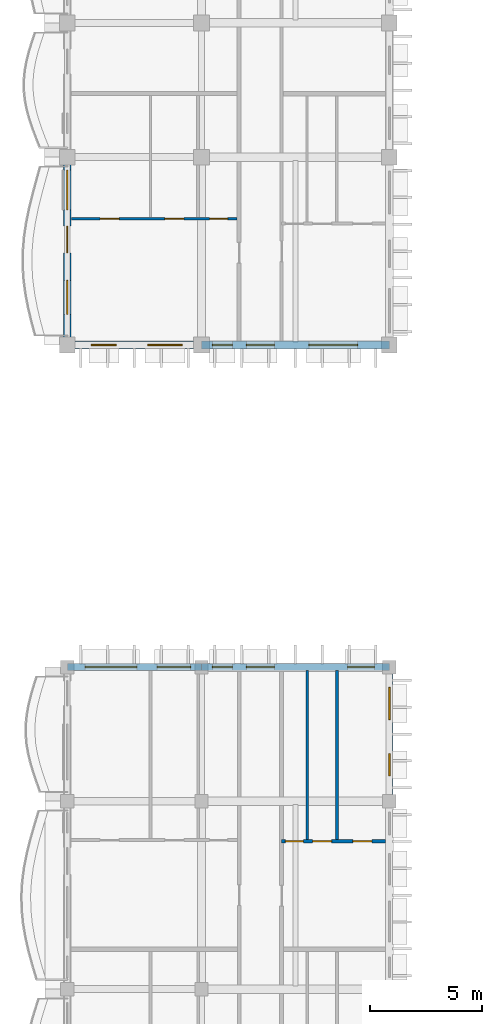
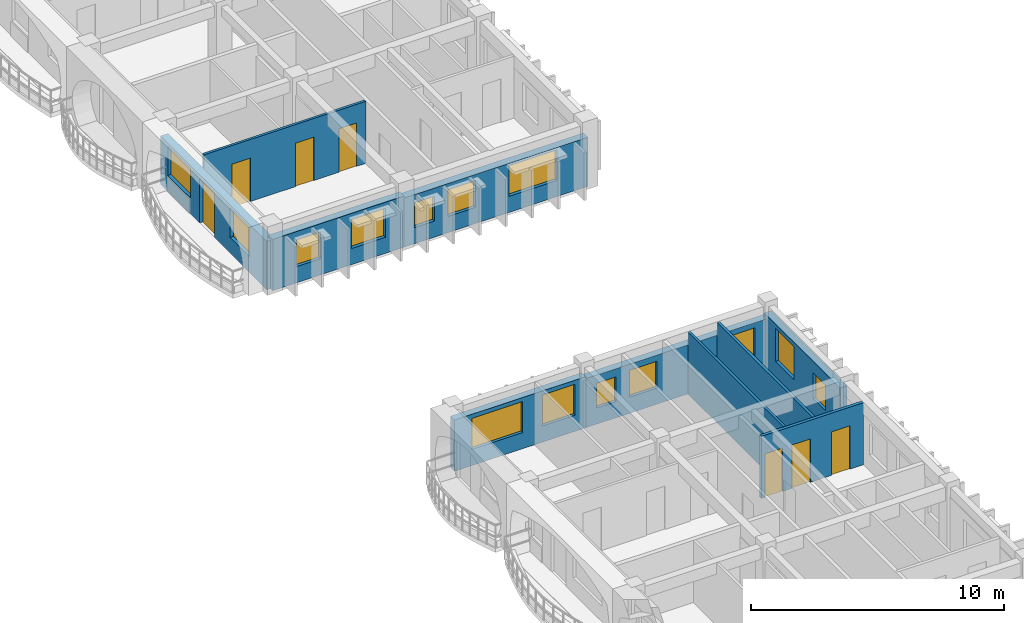
# One storey, part 20 of 70: 14 windows, 10 walls, 7 doors, 21 openings.
"""IFC4 building model written with IfcOpenShell, lengths in metres."""

from ifc_helpers import new_model, si_unit, direction, frame, frame_2d, origin, place, context, subcontext, project, spatial, rectangle, extrude, material, layer, layer_set, type_object, element, fill, save


model = new_model("IFC4")

# Units and contexts
model_context = context("Model", 3, precision=1e-05, world=origin(), true_north=direction((0.0, 1.0)))
body_context = subcontext(model_context, "Body", "Model", "MODEL_VIEW")
ifc_project = project(units=[si_unit("LENGTHUNIT", "METRE"), si_unit("AREAUNIT", "SQUARE_METRE"), si_unit("VOLUMEUNIT", "CUBIC_METRE"), si_unit("PLANEANGLEUNIT", "RADIAN"), si_unit("MASSUNIT", "GRAM", prefix="KILO"), si_unit("THERMODYNAMICTEMPERATUREUNIT", "KELVIN")], contexts=[model_context])

# Site, building, storey
site_placement = place(None, origin())
site = spatial("IfcSite", under=ifc_project, at=site_placement, CompositionType="ELEMENT")
building_placement = place(site_placement, origin())
building = spatial("IfcBuilding", under=site, at=building_placement, Name="Thalorik Housing Commons", CompositionType="ELEMENT")
storey_placement = place(building_placement, frame((0.0, 0.0, 14.699951171875)))
storey = spatial("IfcBuildingStorey", under=building, at=storey_placement, Name="L04", CompositionType="ELEMENT", Elevation=14.699951171875)

# Wall, openings, windows
ifc_material_1 = material(Name="White precast concrete C40/50", Category="concrete")
ifc_layer_1 = layer(ifc_material_1, 0.320068359375, Name="White precast concrete C40/50", Category="concrete")
ifc_layer_set_1 = layer_set([ifc_layer_1], Name="White precast concrete C40/50")
wall_type_1 = type_object("IfcWallType", Name="ARC-WAL-EXT-320", PredefinedType="STANDARD", material=ifc_layer_set_1)
wall_1_placement = place(storey_placement, frame((22.800048828125, 51.60009765625, 0.0), z_axis=(0.0, 0.0, 1.0), x_axis=(0.0, 1.0, 0.0)))
wall_1 = element("IfcWall", 1, at=wall_1_placement, inside=storey, type_object=wall_type_1, Name="L04 Exterior Wall WAL-EXT-L04-C-0937", PredefinedType="STANDARD", context=body_context, shape_type="SweptSolid", body=[
    extrude(rectangle(XDim=6.0, YDim=0.320068359375, at=frame_2d((3.0, 0.0))), origin(), (0.0, 0.0, 1.0), 2.574951171875),
])
opening_1_placement = place(wall_1_placement, frame((1.1298828125, 0.0, 0.780029296875)))
opening_1 = element("IfcOpeningElement", 2, at=opening_1_placement, cuts=wall_1, Name="Opening W-02", PredefinedType="OPENING", context=body_context, shape_type="SweptSolid", body=[
    extrude(rectangle(XDim=1.0, YDim=1.25, at=frame_2d((0.5, 0.625))), frame((0.0, 0.169921875, 0.0), z_axis=(0.0, -1.0, 0.0), x_axis=(1.0, 0.0, 0.0)), (0.0, 0.0, 1.0), 0.340087890625),
])
opening_2_placement = place(wall_1_placement, frame((3.64501953125, 0.0, 0.780029296875)))
opening_2 = element("IfcOpeningElement", 3, at=opening_2_placement, cuts=wall_1, Name="Opening W-09", PredefinedType="OPENING", context=body_context, shape_type="SweptSolid", body=[
    extrude(rectangle(XDim=1.449951171875, YDim=1.60009765625, at=frame_2d((0.72509765625, 0.800048828125))), frame((0.0, 0.169921875, 0.0), z_axis=(0.0, -1.0, 0.0), x_axis=(1.0, 0.0, 0.0)), (0.0, 0.0, 1.0), 0.340087890625),
])
ifc_material_2 = material(Name="Anodised aluminium and solar-control low-E glass", Category="aluminium")
window_type_1 = type_object("IfcWindowType", Name="ARC-WIN-02", PartitioningType="SINGLE_PANEL", PredefinedType="WINDOW", material=ifc_material_2)
window_1_placement = place(opening_1_placement, origin())
window_1 = element("IfcWindow", 4, at=window_1_placement, inside=storey, type_object=window_type_1, Name="L04 Facade Window 1730", OverallHeight=1.25, OverallWidth=1.0, PartitioningType="SINGLE_PANEL", PredefinedType="WINDOW", context=body_context, shape_type="SweptSolid", body=[
    extrude(rectangle(XDim=1.0, YDim=1.25, at=frame_2d((0.5, 0.625))), frame((0.0, 0.030029296875, 0.0), z_axis=(0.0, -1.0, 0.0), x_axis=(1.0, 0.0, 0.0)), (0.0, 0.0, 1.0), 0.06005859375),
])
fill(opening_1, window_1)
window_type_2 = type_object("IfcWindowType", Name="ARC-WIN-09", PartitioningType="SINGLE_PANEL", PredefinedType="WINDOW", material=ifc_material_2)
window_2_placement = place(opening_2_placement, origin())
window_2 = element("IfcWindow", 5, at=window_2_placement, inside=storey, type_object=window_type_2, Name="L04 Facade Window 1731", OverallHeight=1.60009765625, OverallWidth=1.449951171875, PartitioningType="SINGLE_PANEL", PredefinedType="WINDOW", context=body_context, shape_type="SweptSolid", body=[
    extrude(rectangle(XDim=1.449951171875, YDim=1.60009765625, at=frame_2d((0.72509765625, 0.800048828125))), frame((0.0, 0.030029296875, 0.0), z_axis=(0.0, -1.0, 0.0), x_axis=(1.0, 0.0, 0.0)), (0.0, 0.0, 1.0), 0.06005859375),
])
fill(opening_2, window_2)

wall_2_placement = place(storey_placement, frame((22.800048828125, 57.60009765625, 0.0), z_axis=(0.0, 0.0, 1.0), x_axis=(-1.0, 0.0, 0.0)))
wall_2 = element("IfcWall", 6, at=wall_2_placement, inside=storey, type_object=wall_type_1, Name="L04 Exterior Wall WAL-EXT-L04-C-0938", PredefinedType="STANDARD", context=body_context, shape_type="SweptSolid", body=[
    extrude(rectangle(XDim=8.400146484375, YDim=0.320068359375, at=frame_2d((4.2001953125, 0.0))), origin(), (0.0, 0.0, 1.0), 2.375),
])
opening_3_placement = place(wall_2_placement, frame((0.66748046875, 0.0, 0.780029296875)))
opening_3 = element("IfcOpeningElement", 7, at=opening_3_placement, cuts=wall_2, Name="Opening W-04", PredefinedType="OPENING", context=body_context, shape_type="SweptSolid", body=[
    extrude(rectangle(XDim=1.199951171875, YDim=1.35009765625, at=frame_2d((0.60009765625, 0.675048828125))), frame((0.0, 0.169921875, 0.0), z_axis=(0.0, -1.0, 0.0), x_axis=(1.0, 0.0, 0.0)), (0.0, 0.0, 1.0), 0.340087890625),
])
opening_4_placement = place(wall_2_placement, frame((5.14501953125, 0.0, 0.780029296875)))
opening_4 = element("IfcOpeningElement", 8, at=opening_4_placement, cuts=wall_2, Name="Opening W-46", PredefinedType="OPENING", context=body_context, shape_type="SweptSolid", body=[
    extrude(rectangle(XDim=1.25, YDim=1.300048828125, at=frame_2d((0.625, 0.64990234375))), frame((0.0, 0.169921875, 0.0), z_axis=(0.0, -1.0, 0.0), x_axis=(1.0, 0.0, 0.0)), (0.0, 0.0, 1.0), 0.340087890625),
])
opening_5_placement = place(wall_2_placement, frame((7.014892578125, 0.0, 0.780029296875)))
opening_5 = element("IfcOpeningElement", 9, at=opening_5_placement, cuts=wall_2, Name="Opening W-01", PredefinedType="OPENING", context=body_context, shape_type="SweptSolid", body=[
    extrude(rectangle(XDim=0.89990234375, YDim=1.199951171875, at=frame_2d((0.449951171875, 0.60009765625))), frame((0.0, 0.169921875, 0.0), z_axis=(0.0, -1.0, 0.0), x_axis=(1.0, 0.0, 0.0)), (0.0, 0.0, 1.0), 0.340087890625),
])
window_type_3 = type_object("IfcWindowType", Name="ARC-WIN-01", PartitioningType="SINGLE_PANEL", PredefinedType="WINDOW", material=ifc_material_2)
window_3_placement = place(opening_5_placement, origin())
window_3 = element("IfcWindow", 10, at=window_3_placement, inside=storey, type_object=window_type_3, Name="L04 Facade Window 1734", OverallHeight=1.199951171875, OverallWidth=0.89990234375, PartitioningType="SINGLE_PANEL", PredefinedType="WINDOW", context=body_context, shape_type="SweptSolid", body=[
    extrude(rectangle(XDim=0.89990234375, YDim=1.199951171875, at=frame_2d((0.449951171875, 0.60009765625))), frame((0.0, 0.030029296875, 0.0), z_axis=(0.0, -1.0, 0.0), x_axis=(1.0, 0.0, 0.0)), (0.0, 0.0, 1.0), 0.06005859375),
])
fill(opening_5, window_3)
window_type_4 = type_object("IfcWindowType", Name="ARC-WIN-04", PartitioningType="SINGLE_PANEL", PredefinedType="WINDOW", material=ifc_material_2)
window_4_placement = place(opening_3_placement, origin())
window_4 = element("IfcWindow", 11, at=window_4_placement, inside=storey, type_object=window_type_4, Name="L04 Facade Window 1732", OverallHeight=1.35009765625, OverallWidth=1.199951171875, PartitioningType="SINGLE_PANEL", PredefinedType="WINDOW", context=body_context, shape_type="SweptSolid", body=[
    extrude(rectangle(XDim=1.199951171875, YDim=1.35009765625, at=frame_2d((0.60009765625, 0.675048828125))), frame((0.0, 0.030029296875, 0.0), z_axis=(0.0, -1.0, 0.0), x_axis=(1.0, 0.0, 0.0)), (0.0, 0.0, 1.0), 0.06005859375),
])
fill(opening_3, window_4)
window_type_5 = type_object("IfcWindowType", Name="ARC-WIN-46", PartitioningType="SINGLE_PANEL", PredefinedType="WINDOW", material=ifc_material_2)
window_5_placement = place(opening_4_placement, origin())
window_5 = element("IfcWindow", 12, at=window_5_placement, inside=storey, type_object=window_type_5, Name="L04 Facade Window 1733", OverallHeight=1.300048828125, OverallWidth=1.25, PartitioningType="SINGLE_PANEL", PredefinedType="WINDOW", context=body_context, shape_type="SweptSolid", body=[
    extrude(rectangle(XDim=1.25, YDim=1.300048828125, at=frame_2d((0.625, 0.64990234375))), frame((0.0, 0.030029296875, 0.0), z_axis=(0.0, -1.0, 0.0), x_axis=(1.0, 0.0, 0.0)), (0.0, 0.0, 1.0), 0.06005859375),
])
fill(opening_4, window_5)

wall_3_placement = place(storey_placement, frame((14.39990234375, 57.60009765625, 0.0), z_axis=(0.0, 0.0, 1.0), x_axis=(-1.0, 0.0, 0.0)))
wall_3 = element("IfcWall", 13, at=wall_3_placement, inside=storey, type_object=wall_type_1, Name="L04 Exterior Wall WAL-EXT-L04-C-0939", PredefinedType="STANDARD", context=body_context, shape_type="SweptSolid", body=[
    extrude(rectangle(XDim=6.0, YDim=0.320068359375, at=frame_2d((3.0, 0.0))), origin(), (0.0, 0.0, 1.0), 2.47509765625),
])
opening_6_placement = place(wall_3_placement, frame((0.486083984375, 0.0, 0.780029296875)))
opening_6 = element("IfcOpeningElement", 14, at=opening_6_placement, cuts=wall_3, Name="Opening W-10", PredefinedType="OPENING", context=body_context, shape_type="SweptSolid", body=[
    extrude(rectangle(XDim=1.5, YDim=1.5, at=frame_2d((0.75, 0.75))), frame((0.0, 0.169921875, 0.0), z_axis=(0.0, -1.0, 0.0), x_axis=(1.0, 0.0, 0.0)), (0.0, 0.0, 1.0), 0.340087890625),
])
opening_7_placement = place(wall_3_placement, frame((2.88623046875, 0.0, 0.780029296875)))
opening_7 = element("IfcOpeningElement", 15, at=opening_7_placement, cuts=wall_3, Name="Opening W-68", PredefinedType="OPENING", context=body_context, shape_type="SweptSolid", body=[
    extrude(rectangle(XDim=2.320068359375, YDim=1.5, at=frame_2d((1.16015625, 0.75))), frame((0.0, 0.169921875, 0.0), z_axis=(0.0, -1.0, 0.0), x_axis=(1.0, 0.0, 0.0)), (0.0, 0.0, 1.0), 0.340087890625),
])
window_type_6 = type_object("IfcWindowType", Name="ARC-WIN-10", PartitioningType="SINGLE_PANEL", PredefinedType="WINDOW", material=ifc_material_2)
window_6_placement = place(opening_6_placement, origin())
window_6 = element("IfcWindow", 16, at=window_6_placement, inside=storey, type_object=window_type_6, Name="L04 Facade Window 1735", OverallHeight=1.5, OverallWidth=1.5, PartitioningType="SINGLE_PANEL", PredefinedType="WINDOW", context=body_context, shape_type="SweptSolid", body=[
    extrude(rectangle(XDim=1.5, YDim=1.5, at=frame_2d((0.75, 0.75))), frame((0.0, 0.030029296875, 0.0), z_axis=(0.0, -1.0, 0.0), x_axis=(1.0, 0.0, 0.0)), (0.0, 0.0, 1.0), 0.06005859375),
])
fill(opening_6, window_6)
window_type_7 = type_object("IfcWindowType", Name="ARC-WIN-68", PartitioningType="DOUBLE_PANEL_VERTICAL", PredefinedType="WINDOW", material=ifc_material_2)
window_7_placement = place(opening_7_placement, origin())
window_7 = element("IfcWindow", 17, at=window_7_placement, inside=storey, type_object=window_type_7, Name="L04 Facade Window 1736", OverallHeight=1.5, OverallWidth=2.320068359375, PartitioningType="DOUBLE_PANEL_VERTICAL", PredefinedType="WINDOW", context=body_context, shape_type="SweptSolid", body=[
    extrude(rectangle(XDim=2.320068359375, YDim=1.5, at=frame_2d((1.16015625, 0.75))), frame((0.0, 0.030029296875, 0.0), z_axis=(0.0, -1.0, 0.0), x_axis=(1.0, 0.0, 0.0)), (0.0, 0.0, 1.0), 0.06005859375),
])
fill(opening_7, window_7)

# Wall, openings, door, windows
ifc_layer_2 = layer(ifc_material_1, 0.35009765625, Name="White precast concrete C40/50", Category="concrete")
ifc_layer_set_2 = layer_set([ifc_layer_2], Name="White precast concrete C40/50")
wall_type_2 = type_object("IfcWallType", Name="ARC-WAL-EXT-350", PredefinedType="STANDARD", material=ifc_layer_set_2)
wall_4_placement = place(storey_placement, frame((8.39990234375, 80.39990234375, 0.0), z_axis=(0.0, 0.0, 1.0), x_axis=(0.0, -1.0, 0.0)))
wall_4 = element("IfcWall", 18, at=wall_4_placement, inside=storey, type_object=wall_type_2, Name="L04 Exterior Wall WAL-EXT-L04-A-0133", PredefinedType="STANDARD", context=body_context, shape_type="SweptSolid", body=[
    extrude(rectangle(XDim=8.39990234375, YDim=0.35009765625, at=frame_2d((4.199951171875, 0.0))), origin(), (0.0, 0.0, 1.0), 2.344970703125),
])
opening_8_placement = place(wall_4_placement, frame((3.080078125, 0.0, 0.0)))
opening_8 = element("IfcOpeningElement", 19, at=opening_8_placement, cuts=wall_4, Name="Opening ED-0039", PredefinedType="OPENING", context=body_context, shape_type="SweptSolid", body=[
    extrude(rectangle(XDim=1.199951171875, YDim=2.14990234375, at=frame_2d((0.60009765625, 1.074951171875))), frame((0.0, 0.18505859375, 0.0), z_axis=(0.0, -1.0, 0.0), x_axis=(1.0, 0.0, 0.0)), (0.0, 0.0, 1.0), 0.3701171875),
])
opening_9_placement = place(wall_4_placement, frame((0.580078125, 0.0, 0.780029296875)))
opening_9 = element("IfcOpeningElement", 20, at=opening_9_placement, cuts=wall_4, Name="Opening W-57", PredefinedType="OPENING", context=body_context, shape_type="SweptSolid", body=[
    extrude(rectangle(XDim=1.780029296875, YDim=1.419921875, at=frame_2d((0.89013671875, 0.7099609375))), frame((0.0, 0.18505859375, 0.0), z_axis=(0.0, -1.0, 0.0), x_axis=(1.0, 0.0, 0.0)), (0.0, 0.0, 1.0), 0.3701171875),
])
opening_10_placement = place(wall_4_placement, frame((5.510009765625, 0.0, 0.780029296875)))
opening_10 = element("IfcOpeningElement", 21, at=opening_10_placement, cuts=wall_4, Name="Opening W-52", PredefinedType="OPENING", context=body_context, shape_type="SweptSolid", body=[
    extrude(rectangle(XDim=1.52001953125, YDim=1.419921875, at=frame_2d((0.760009765625, 0.7099609375))), frame((0.0, 0.18505859375, 0.0), z_axis=(0.0, -1.0, 0.0), x_axis=(1.0, 0.0, 0.0)), (0.0, 0.0, 1.0), 0.3701171875),
])
ifc_material_3 = material(Name="Anodised aluminium and laminated safety glass", Category="aluminium")
door_type_1 = type_object("IfcDoorType", Name="ARC-DR-BAL-1200", OperationType="NOTDEFINED", PredefinedType="DOOR", material=ifc_material_3)
door_1_placement = place(opening_8_placement, frame((1.199951171875, 0.0, 0.0), z_axis=(0.0, 0.0, 1.0), x_axis=(-1.0, 0.0, 0.0)))
door_1 = element("IfcDoor", 22, at=door_1_placement, inside=storey, type_object=door_type_1, Name="L04 Block A Balcony Glazed Door", OperationType="SINGLE_SWING_RIGHT", OverallHeight=2.14990234375, OverallWidth=1.199951171875, PredefinedType="DOOR", context=body_context, shape_type="SweptSolid", body=[
    extrude(rectangle(XDim=1.199951171875, YDim=2.14990234375, at=frame_2d((0.60009765625, 1.074951171875))), frame((0.0, 0.02490234375, 0.0), z_axis=(0.0, -1.0, 0.0), x_axis=(1.0, 0.0, 0.0)), (0.0, 0.0, 1.0), 0.050048828125),
])
fill(opening_8, door_1)
window_type_8 = type_object("IfcWindowType", Name="ARC-WIN-52", PartitioningType="SINGLE_PANEL", PredefinedType="WINDOW", material=ifc_material_2)
window_8_placement = place(opening_10_placement, origin())
window_8 = element("IfcWindow", 23, at=window_8_placement, inside=storey, type_object=window_type_8, Name="L04 Facade Window 236", OverallHeight=1.419921875, OverallWidth=1.52001953125, PartitioningType="SINGLE_PANEL", PredefinedType="WINDOW", context=body_context, shape_type="SweptSolid", body=[
    extrude(rectangle(XDim=1.52001953125, YDim=1.419921875, at=frame_2d((0.760009765625, 0.7099609375))), frame((0.0, 0.030029296875, 0.0), z_axis=(0.0, -1.0, 0.0), x_axis=(1.0, 0.0, 0.0)), (0.0, 0.0, 1.0), 0.06005859375),
])
fill(opening_10, window_8)
window_type_9 = type_object("IfcWindowType", Name="ARC-WIN-57", PartitioningType="DOUBLE_PANEL_VERTICAL", PredefinedType="WINDOW", material=ifc_material_2)
window_9_placement = place(opening_9_placement, origin())
window_9 = element("IfcWindow", 24, at=window_9_placement, inside=storey, type_object=window_type_9, Name="L04 Facade Window 235", OverallHeight=1.419921875, OverallWidth=1.780029296875, PartitioningType="DOUBLE_PANEL_VERTICAL", PredefinedType="WINDOW", context=body_context, shape_type="SweptSolid", body=[
    extrude(rectangle(XDim=1.780029296875, YDim=1.419921875, at=frame_2d((0.89013671875, 0.7099609375))), frame((0.0, 0.030029296875, 0.0), z_axis=(0.0, -1.0, 0.0), x_axis=(1.0, 0.0, 0.0)), (0.0, 0.0, 1.0), 0.06005859375),
])
fill(opening_9, window_9)

# Wall, openings, windows
wall_5_placement = place(storey_placement, frame((8.39990234375, 72.0, 0.0), z_axis=(0.0, 0.0, 1.0), x_axis=(1.0, 0.0, 0.0)))
wall_5 = element("IfcWall", 25, at=wall_5_placement, inside=storey, type_object=wall_type_2, Name="L04 Exterior Wall WAL-EXT-L04-A-0134", PredefinedType="STANDARD", context=body_context, shape_type="SweptSolid", body=[
    extrude(rectangle(XDim=6.0, YDim=0.35009765625, at=frame_2d((3.0, 0.0))), origin(), (0.0, 0.0, 1.0), 2.47509765625),
])
opening_11_placement = place(wall_5_placement, frame((1.080078125, 0.0, 0.780029296875)))
opening_11 = element("IfcOpeningElement", 26, at=opening_11_placement, cuts=wall_5, Name="Opening W-03", PredefinedType="OPENING", context=body_context, shape_type="SweptSolid", body=[
    extrude(rectangle(XDim=1.10009765625, YDim=1.300048828125, at=frame_2d((0.550048828125, 0.64990234375))), frame((0.0, 0.18505859375, 0.0), z_axis=(0.0, -1.0, 0.0), x_axis=(1.0, 0.0, 0.0)), (0.0, 0.0, 1.0), 0.3701171875),
])
opening_12_placement = place(wall_5_placement, frame((3.594970703125, 0.0, 0.780029296875)))
opening_12 = element("IfcOpeningElement", 27, at=opening_12_placement, cuts=wall_5, Name="Opening W-12", PredefinedType="OPENING", context=body_context, shape_type="SweptSolid", body=[
    extrude(rectangle(XDim=1.550048828125, YDim=1.39990234375, at=frame_2d((0.77490234375, 0.699951171875))), frame((0.0, 0.18505859375, 0.0), z_axis=(0.0, -1.0, 0.0), x_axis=(1.0, 0.0, 0.0)), (0.0, 0.0, 1.0), 0.3701171875),
])
window_type_10 = type_object("IfcWindowType", Name="ARC-WIN-03", PartitioningType="SINGLE_PANEL", PredefinedType="WINDOW", material=ifc_material_2)
window_10_placement = place(opening_11_placement, origin())
window_10 = element("IfcWindow", 28, at=window_10_placement, inside=storey, type_object=window_type_10, Name="L04 Facade Window 237", OverallHeight=1.300048828125, OverallWidth=1.10009765625, PartitioningType="SINGLE_PANEL", PredefinedType="WINDOW", context=body_context, shape_type="SweptSolid", body=[
    extrude(rectangle(XDim=1.10009765625, YDim=1.300048828125, at=frame_2d((0.550048828125, 0.64990234375))), frame((0.0, 0.030029296875, 0.0), z_axis=(0.0, -1.0, 0.0), x_axis=(1.0, 0.0, 0.0)), (0.0, 0.0, 1.0), 0.06005859375),
])
fill(opening_11, window_10)
window_type_11 = type_object("IfcWindowType", Name="ARC-WIN-12", PartitioningType="SINGLE_PANEL", PredefinedType="WINDOW", material=ifc_material_2)
window_11_placement = place(opening_12_placement, origin())
window_11 = element("IfcWindow", 29, at=window_11_placement, inside=storey, type_object=window_type_11, Name="L04 Facade Window 238", OverallHeight=1.39990234375, OverallWidth=1.550048828125, PartitioningType="SINGLE_PANEL", PredefinedType="WINDOW", context=body_context, shape_type="SweptSolid", body=[
    extrude(rectangle(XDim=1.550048828125, YDim=1.39990234375, at=frame_2d((0.77490234375, 0.699951171875))), frame((0.0, 0.030029296875, 0.0), z_axis=(0.0, -1.0, 0.0), x_axis=(1.0, 0.0, 0.0)), (0.0, 0.0, 1.0), 0.06005859375),
])
fill(opening_12, window_11)

wall_6_placement = place(storey_placement, frame((14.39990234375, 72.0, 0.0), z_axis=(0.0, 0.0, 1.0), x_axis=(1.0, 0.0, 0.0)))
wall_6 = element("IfcWall", 30, at=wall_6_placement, inside=storey, type_object=wall_type_2, Name="L04 Exterior Wall WAL-EXT-L04-A-0135", PredefinedType="STANDARD", context=body_context, shape_type="SweptSolid", body=[
    extrude(rectangle(XDim=8.400146484375, YDim=0.35009765625, at=frame_2d((4.2001953125, 0.0))), origin(), (0.0, 0.0, 1.0), 2.375),
])
opening_13_placement = place(wall_6_placement, frame((0.485107421875, 0.0, 0.780029296875)))
opening_13 = element("IfcOpeningElement", 31, at=opening_13_placement, cuts=wall_6, Name="Opening W-01", PredefinedType="OPENING", context=body_context, shape_type="SweptSolid", body=[
    extrude(rectangle(XDim=0.89990234375, YDim=1.199951171875, at=frame_2d((0.449951171875, 0.60009765625))), frame((0.0, 0.18505859375, 0.0), z_axis=(0.0, -1.0, 0.0), x_axis=(1.0, 0.0, 0.0)), (0.0, 0.0, 1.0), 0.3701171875),
])
opening_14_placement = place(wall_6_placement, frame((2.0048828125, 0.0, 0.780029296875)))
opening_14 = element("IfcOpeningElement", 32, at=opening_14_placement, cuts=wall_6, Name="Opening W-46", PredefinedType="OPENING", context=body_context, shape_type="SweptSolid", body=[
    extrude(rectangle(XDim=1.25, YDim=1.300048828125, at=frame_2d((0.625, 0.64990234375))), frame((0.0, 0.18505859375, 0.0), z_axis=(0.0, -1.0, 0.0), x_axis=(1.0, 0.0, 0.0)), (0.0, 0.0, 1.0), 0.3701171875),
])
opening_15_placement = place(wall_6_placement, frame((4.804931640625, 0.0, 0.780029296875)))
opening_15 = element("IfcOpeningElement", 33, at=opening_15_placement, cuts=wall_6, Name="Opening W-65", PredefinedType="OPENING", context=body_context, shape_type="SweptSolid", body=[
    extrude(rectangle(XDim=2.179931640625, YDim=1.47998046875, at=frame_2d((1.08984375, 0.739990234375))), frame((0.0, 0.18505859375, 0.0), z_axis=(0.0, -1.0, 0.0), x_axis=(1.0, 0.0, 0.0)), (0.0, 0.0, 1.0), 0.3701171875),
])
window_12_placement = place(opening_13_placement, origin())
window_12 = element("IfcWindow", 34, at=window_12_placement, inside=storey, type_object=window_type_3, Name="L04 Facade Window 239", OverallHeight=1.199951171875, OverallWidth=0.89990234375, PartitioningType="SINGLE_PANEL", PredefinedType="WINDOW", context=body_context, shape_type="SweptSolid", body=[
    extrude(rectangle(XDim=0.89990234375, YDim=1.199951171875, at=frame_2d((0.449951171875, 0.60009765625))), frame((0.0, 0.030029296875, 0.0), z_axis=(0.0, -1.0, 0.0), x_axis=(1.0, 0.0, 0.0)), (0.0, 0.0, 1.0), 0.06005859375),
])
fill(opening_13, window_12)
window_13_placement = place(opening_14_placement, origin())
window_13 = element("IfcWindow", 35, at=window_13_placement, inside=storey, type_object=window_type_5, Name="L04 Facade Window 240", OverallHeight=1.300048828125, OverallWidth=1.25, PartitioningType="SINGLE_PANEL", PredefinedType="WINDOW", context=body_context, shape_type="SweptSolid", body=[
    extrude(rectangle(XDim=1.25, YDim=1.300048828125, at=frame_2d((0.625, 0.64990234375))), frame((0.0, 0.030029296875, 0.0), z_axis=(0.0, -1.0, 0.0), x_axis=(1.0, 0.0, 0.0)), (0.0, 0.0, 1.0), 0.06005859375),
])
fill(opening_14, window_13)
window_type_12 = type_object("IfcWindowType", Name="ARC-WIN-65", PartitioningType="DOUBLE_PANEL_VERTICAL", PredefinedType="WINDOW", material=ifc_material_2)
window_14_placement = place(opening_15_placement, origin())
window_14 = element("IfcWindow", 36, at=window_14_placement, inside=storey, type_object=window_type_12, Name="L04 Facade Window 241", OverallHeight=1.47998046875, OverallWidth=2.179931640625, PartitioningType="DOUBLE_PANEL_VERTICAL", PredefinedType="WINDOW", context=body_context, shape_type="SweptSolid", body=[
    extrude(rectangle(XDim=2.179931640625, YDim=1.47998046875, at=frame_2d((1.08984375, 0.739990234375))), frame((0.0, 0.030029296875, 0.0), z_axis=(0.0, -1.0, 0.0), x_axis=(1.0, 0.0, 0.0)), (0.0, 0.0, 1.0), 0.06005859375),
])
fill(opening_15, window_14)

# Wall, openings, doors
ifc_material_4 = material(Name="Gypsum moisture-resistant partition", Category="masonry")
ifc_layer_3 = layer(ifc_material_4, 0.114990234375, Name="Gypsum moisture-resistant partition", Category="masonry")
ifc_layer_set_3 = layer_set([ifc_layer_3], Name="Gypsum moisture-resistant partition")
wall_type_3 = type_object("IfcWallType", Name="ARC-WAL-PART-115", PredefinedType="PARTITIONING", material=ifc_layer_set_3)
wall_7_placement = place(storey_placement, frame((8.576904296875, 77.64990234375, 0.0), z_axis=(0.0, 0.0, 1.0), x_axis=(1.0, 0.0, 0.0)))
wall_7 = element("IfcWall", 37, at=wall_7_placement, inside=storey, type_object=wall_type_3, Name="L04 Unit 1 Spine Partition", PredefinedType="PARTITIONING", context=body_context, shape_type="SweptSolid", body=[
    extrude(rectangle(XDim=7.418701171875, YDim=0.114990234375, at=frame_2d((3.70947265625, 0.0))), origin(), (0.0, 0.0, 1.0), 3.0),
])
opening_16_placement = place(wall_7_placement, frame((1.286865234375, 0.0, 0.0)))
opening_16 = element("IfcOpeningElement", 38, at=opening_16_placement, cuts=wall_7, Name="Opening ID-0573", PredefinedType="OPENING", context=body_context, shape_type="SweptSolid", body=[
    extrude(rectangle(XDim=0.85009765625, YDim=2.10009765625, at=frame_2d((0.425048828125, 1.050048828125))), frame((0.0, 0.0673828125, 0.0), z_axis=(0.0, -1.0, 0.0), x_axis=(1.0, 0.0, 0.0)), (0.0, 0.0, 1.0), 0.135009765625),
])
opening_17_placement = place(wall_7_placement, frame((4.182373046875, 0.0, 0.0)))
opening_17 = element("IfcOpeningElement", 39, at=opening_17_placement, cuts=wall_7, Name="Opening ID-0574", PredefinedType="OPENING", context=body_context, shape_type="SweptSolid", body=[
    extrude(rectangle(XDim=0.85009765625, YDim=2.10009765625, at=frame_2d((0.425048828125, 1.050048828125))), frame((0.0, 0.0673828125, 0.0), z_axis=(0.0, -1.0, 0.0), x_axis=(1.0, 0.0, 0.0)), (0.0, 0.0, 1.0), 0.135009765625),
])
opening_18_placement = place(wall_7_placement, frame((6.188720703125, 0.0, 0.0)))
opening_18 = element("IfcOpeningElement", 40, at=opening_18_placement, cuts=wall_7, Name="Opening ID-0575", PredefinedType="OPENING", context=body_context, shape_type="SweptSolid", body=[
    extrude(rectangle(XDim=0.800048828125, YDim=2.10009765625, at=frame_2d((0.39990234375, 1.050048828125))), frame((0.0, 0.0673828125, 0.0), z_axis=(0.0, -1.0, 0.0), x_axis=(1.0, 0.0, 0.0)), (0.0, 0.0, 1.0), 0.135009765625),
])
ifc_material_5 = material(Name="Moisture-resistant timber", Category="wood")
door_type_2 = type_object("IfcDoorType", Name="ARC-DR-INT-800", OperationType="NOTDEFINED", PredefinedType="DOOR", material=ifc_material_5)
door_2_placement = place(opening_18_placement, origin())
door_2 = element("IfcDoor", 41, at=door_2_placement, inside=storey, type_object=door_type_2, Name="L04 Flat Bathroom Door", OperationType="SINGLE_SWING_RIGHT", OverallHeight=2.10009765625, OverallWidth=0.800048828125, PredefinedType="DOOR", context=body_context, shape_type="SweptSolid", body=[
    extrude(rectangle(XDim=0.800048828125, YDim=2.10009765625, at=frame_2d((0.39990234375, 1.050048828125))), frame((0.0, 0.02490234375, 0.0), z_axis=(0.0, -1.0, 0.0), x_axis=(1.0, 0.0, 0.0)), (0.0, 0.0, 1.0), 0.050048828125),
])
fill(opening_18, door_2)
ifc_material_6 = material(Name="Engineered oak timber", Category="wood")
door_type_3 = type_object("IfcDoorType", Name="ARC-DR-INT-850", OperationType="NOTDEFINED", PredefinedType="DOOR", material=ifc_material_6)
door_3_placement = place(opening_16_placement, origin())
door_3 = element("IfcDoor", 42, at=door_3_placement, inside=storey, type_object=door_type_3, Name="L04 Master Bedroom Door", OperationType="SINGLE_SWING_RIGHT", OverallHeight=2.10009765625, OverallWidth=0.85009765625, PredefinedType="DOOR", context=body_context, shape_type="SweptSolid", body=[
    extrude(rectangle(XDim=0.85009765625, YDim=2.10009765625, at=frame_2d((0.425048828125, 1.050048828125))), frame((0.0, 0.02490234375, 0.0), z_axis=(0.0, -1.0, 0.0), x_axis=(1.0, 0.0, 0.0)), (0.0, 0.0, 1.0), 0.050048828125),
])
fill(opening_16, door_3)
door_4_placement = place(opening_17_placement, origin())
door_4 = element("IfcDoor", 43, at=door_4_placement, inside=storey, type_object=door_type_3, Name="L04 Galley Kitchen Door", OperationType="SINGLE_SWING_LEFT", OverallHeight=2.10009765625, OverallWidth=0.85009765625, PredefinedType="DOOR", context=body_context, shape_type="SweptSolid", body=[
    extrude(rectangle(XDim=0.85009765625, YDim=2.10009765625, at=frame_2d((0.425048828125, 1.050048828125))), frame((0.0, 0.02490234375, 0.0), z_axis=(0.0, -1.0, 0.0), x_axis=(1.0, 0.0, 0.0)), (0.0, 0.0, 1.0), 0.050048828125),
])
fill(opening_17, door_4)

# Walls
wall_8_placement = place(storey_placement, frame((19.122314453125, 49.880859375, 0.0), z_axis=(0.0, 0.0, 1.0), x_axis=(0.0, 1.0, 0.0)))
element("IfcWall", 44, at=wall_8_placement, inside=storey, type_object=wall_type_3, Name="L04 Unit 3B Wet Wall", PredefinedType="PARTITIONING", context=body_context, shape_type="SweptSolid", body=[
    extrude(rectangle(XDim=7.55712890625, YDim=0.114990234375, at=frame_2d((3.778564453125, 0.0))), origin(), (0.0, 0.0, 1.0), 3.0),
])
ifc_material_7 = material(Name="Gypsum acoustic stud partition", Category="masonry")
ifc_layer_4 = layer(ifc_material_7, 0.125, Name="Gypsum acoustic stud partition", Category="masonry")
ifc_layer_set_4 = layer_set([ifc_layer_4], Name="Gypsum acoustic stud partition")
wall_type_4 = type_object("IfcWallType", Name="ARC-WAL-PART-125", PredefinedType="PARTITIONING", material=ifc_layer_set_4)
wall_9_placement = place(storey_placement, frame((20.455078125, 49.880859375, 0.0), z_axis=(0.0, 0.0, 1.0), x_axis=(0.0, 1.0, 0.0)))
element("IfcWall", 45, at=wall_9_placement, inside=storey, type_object=wall_type_4, Name="L04 Unit 3B Bedroom Partition", PredefinedType="PARTITIONING", context=body_context, shape_type="SweptSolid", body=[
    extrude(rectangle(XDim=7.55712890625, YDim=0.125, at=frame_2d((3.778564453125, 0.0))), origin(), (0.0, 0.0, 1.0), 3.0),
])

# Wall, openings, doors
ifc_material_8 = material(Name="Ceramic masonry partition wall", Category="masonry")
ifc_layer_5 = layer(ifc_material_8, 0.139892578125, Name="Ceramic masonry partition wall", Category="masonry")
ifc_layer_set_5 = layer_set([ifc_layer_5], Name="Ceramic masonry partition wall")
wall_type_5 = type_object("IfcWallType", Name="ARC-WAL-PART-140", PredefinedType="PARTITIONING", material=ifc_layer_set_5)
wall_10_placement = place(storey_placement, frame((17.97998046875, 49.808837890625, 0.0), z_axis=(0.0, 0.0, 1.0), x_axis=(1.0, 0.0, 0.0)))
wall_10 = element("IfcWall", 46, at=wall_10_placement, inside=storey, type_object=wall_type_5, Name="L04 Unit 3B Spine Partition", PredefinedType="PARTITIONING", context=body_context, shape_type="SweptSolid", body=[
    extrude(rectangle(XDim=4.657958984375, YDim=0.139892578125, at=frame_2d((2.3291015625, 0.0))), origin(), (0.0, 0.0, 1.0), 3.0),
])
opening_19_placement = place(wall_10_placement, frame((0.171142578125, 0.0, 0.0)))
opening_19 = element("IfcOpeningElement", 47, at=opening_19_placement, cuts=wall_10, Name="Opening ID-1713", PredefinedType="OPENING", context=body_context, shape_type="SweptSolid", body=[
    extrude(rectangle(XDim=0.800048828125, YDim=2.10009765625, at=frame_2d((0.39990234375, 1.050048828125))), frame((0.0, 0.080078125, 0.0), z_axis=(0.0, -1.0, 0.0), x_axis=(1.0, 0.0, 0.0)), (0.0, 0.0, 1.0), 0.159912109375),
])
opening_20_placement = place(wall_10_placement, frame((1.3837890625, 0.0, 0.0)))
opening_20 = element("IfcOpeningElement", 48, at=opening_20_placement, cuts=wall_10, Name="Opening ID-1714", PredefinedType="OPENING", context=body_context, shape_type="SweptSolid", body=[
    extrude(rectangle(XDim=0.85009765625, YDim=2.10009765625, at=frame_2d((0.425048828125, 1.050048828125))), frame((0.0, 0.080078125, 0.0), z_axis=(0.0, -1.0, 0.0), x_axis=(1.0, 0.0, 0.0)), (0.0, 0.0, 1.0), 0.159912109375),
])
opening_21_placement = place(wall_10_placement, frame((3.192626953125, 0.0, 0.0)))
opening_21 = element("IfcOpeningElement", 49, at=opening_21_placement, cuts=wall_10, Name="Opening ID-1715", PredefinedType="OPENING", context=body_context, shape_type="SweptSolid", body=[
    extrude(rectangle(XDim=0.85009765625, YDim=2.10009765625, at=frame_2d((0.425048828125, 1.050048828125))), frame((0.0, 0.080078125, 0.0), z_axis=(0.0, -1.0, 0.0), x_axis=(1.0, 0.0, 0.0)), (0.0, 0.0, 1.0), 0.159912109375),
])
door_5_placement = place(opening_19_placement, origin())
door_5 = element("IfcDoor", 50, at=door_5_placement, inside=storey, type_object=door_type_2, Name="L04 Flat Bathroom Door", OperationType="SINGLE_SWING_RIGHT", OverallHeight=2.10009765625, OverallWidth=0.800048828125, PredefinedType="DOOR", context=body_context, shape_type="SweptSolid", body=[
    extrude(rectangle(XDim=0.800048828125, YDim=2.10009765625, at=frame_2d((0.39990234375, 1.050048828125))), frame((0.0, 0.02490234375, 0.0), z_axis=(0.0, -1.0, 0.0), x_axis=(1.0, 0.0, 0.0)), (0.0, 0.0, 1.0), 0.050048828125),
])
fill(opening_19, door_5)
door_6_placement = place(opening_20_placement, origin())
door_6 = element("IfcDoor", 51, at=door_6_placement, inside=storey, type_object=door_type_3, Name="L04 Galley Kitchen Door", OperationType="SINGLE_SWING_LEFT", OverallHeight=2.10009765625, OverallWidth=0.85009765625, PredefinedType="DOOR", context=body_context, shape_type="SweptSolid", body=[
    extrude(rectangle(XDim=0.85009765625, YDim=2.10009765625, at=frame_2d((0.425048828125, 1.050048828125))), frame((0.0, 0.02490234375, 0.0), z_axis=(0.0, -1.0, 0.0), x_axis=(1.0, 0.0, 0.0)), (0.0, 0.0, 1.0), 0.050048828125),
])
fill(opening_20, door_6)
door_7_placement = place(opening_21_placement, origin())
door_7 = element("IfcDoor", 52, at=door_7_placement, inside=storey, type_object=door_type_3, Name="L04 Master Bedroom Door", OperationType="SINGLE_SWING_RIGHT", OverallHeight=2.10009765625, OverallWidth=0.85009765625, PredefinedType="DOOR", context=body_context, shape_type="SweptSolid", body=[
    extrude(rectangle(XDim=0.85009765625, YDim=2.10009765625, at=frame_2d((0.425048828125, 1.050048828125))), frame((0.0, 0.02490234375, 0.0), z_axis=(0.0, -1.0, 0.0), x_axis=(1.0, 0.0, 0.0)), (0.0, 0.0, 1.0), 0.050048828125),
])
fill(opening_21, door_7)

save(model, "model.ifc")
